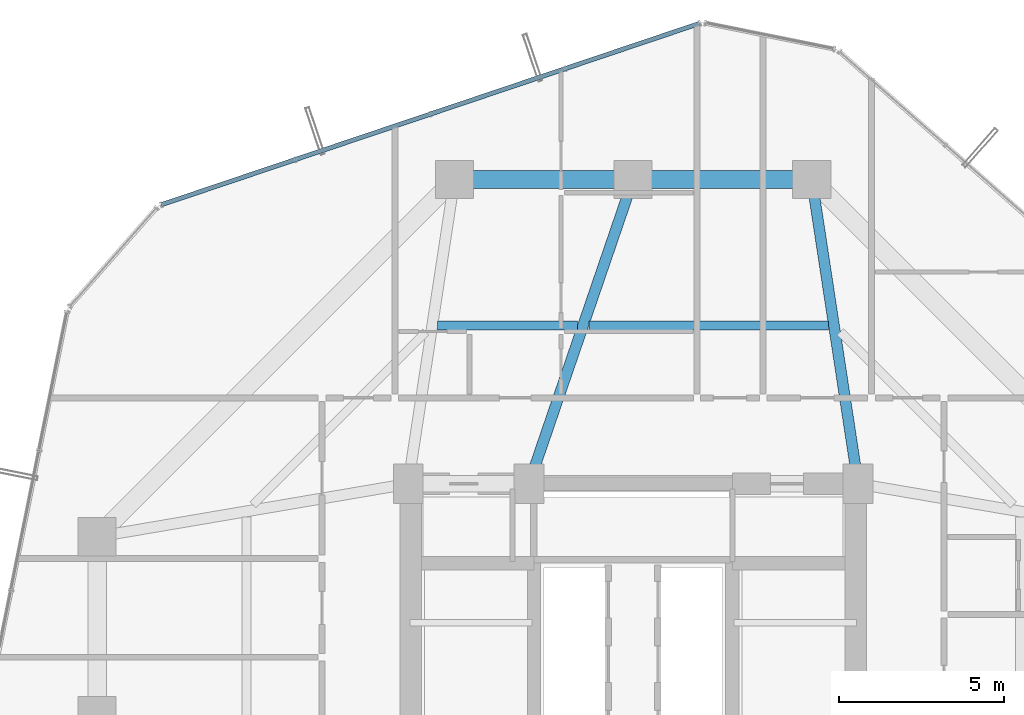
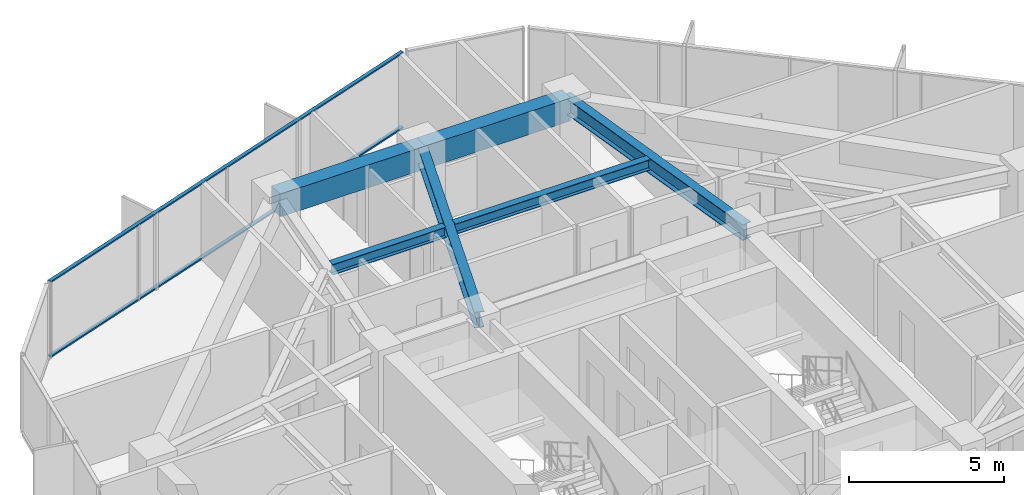
# One storey, part 22 of 32: 6 beams, 2 members, 1 element without a shape of its own.
"""IFC4 building model written with IfcOpenShell, lengths in metres."""

from ifc_helpers import new_model, si_unit, direction, frame, origin, origin_2d, place, context, subcontext, project, spatial, rectangle, hollow_rectangle, i_section, extrude, source, transform, mapped, material, layer, layer_set, material_profile, profile_set, type_object, element, aggregate, save


model = new_model("IFC4")

# Units and contexts
model_context = context("Model", 3, precision=1e-05, world=origin(), true_north=direction((0.0, 1.0)))
body_context = subcontext(model_context, "Body", "Model", "MODEL_VIEW")
ifc_project = project(units=[si_unit("LENGTHUNIT", "METRE"), si_unit("AREAUNIT", "SQUARE_METRE"), si_unit("VOLUMEUNIT", "CUBIC_METRE"), si_unit("PLANEANGLEUNIT", "RADIAN"), si_unit("MASSUNIT", "GRAM", prefix="KILO")], contexts=[model_context])

# Site, building, storey
site_placement = place(None, origin())
site = spatial("IfcSite", under=ifc_project, at=site_placement, CompositionType="ELEMENT")
building_placement = place(site_placement, origin())
building = spatial("IfcBuilding", under=site, at=building_placement, Name="Veraguas Prism Commons", CompositionType="ELEMENT")
storey_placement = place(building_placement, frame((0.0, 0.0, 89.449951171875)))
storey = spatial("IfcBuildingStorey", under=building, at=storey_placement, Name="L24", CompositionType="ELEMENT", Elevation=89.449951171875)

# Beams
ifc_material_1 = material(Name="Steel ASTM A992 Grade 50", Category="steel")
ifc_material_profile_1 = material_profile(ifc_material_1, i_section(OverallWidth=0.260986328125, OverallDepth=0.419921875, WebThickness=0.01171875, FlangeThickness=0.019287109375, at=origin_2d()), Name="W410X114")
ifc_profile_set_1 = profile_set([ifc_material_profile_1], Name="Steel ASTM A992 Grade 50")
beam_type_1 = type_object("IfcBeamType", Name="Lower Floor Joist W410x114", PredefinedType="JOIST", material=ifc_profile_set_1)
beam_1_placement = place(storey_placement, frame((29.908203125, 35.783935546875, 2.7900390625), z_axis=(-1.0, 0.0, 0.0), x_axis=(0.0, -1.0, 0.0)))
element("IfcBeam", 1, at=beam_1_placement, inside=storey, type_object=beam_type_1, Name="Composite Floor Joist L24-JS04", PredefinedType="JOIST", context=body_context, shape_type="SweptSolid", body=[
    extrude(i_section(OverallWidth=0.260986328125, OverallDepth=0.419921875, WebThickness=0.01171875, FlangeThickness=0.019287109375, at=origin_2d()), origin(), (0.0, 0.0, 1.0), 7.2490234375),
])
beam_2_placement = place(storey_placement, frame((22.31689453125, 35.783935546875, 2.7900390625), z_axis=(-1.0, 0.0, 0.0), x_axis=(0.0, -1.0, 0.0)))
element("IfcBeam", 2, at=beam_2_placement, inside=storey, type_object=beam_type_1, Name="Composite Floor Joist L24-JS05", PredefinedType="JOIST", context=body_context, shape_type="SweptSolid", body=[
    extrude(i_section(OverallWidth=0.260986328125, OverallDepth=0.419921875, WebThickness=0.01171875, FlangeThickness=0.019287109375, at=origin_2d()), origin(), (0.0, 0.0, 1.0), 4.22509765625),
])
ifc_material_2 = material(Name="Concrete C50/60", Category="concrete")
ifc_material_profile_2 = material_profile(ifc_material_2, rectangle(XDim=0.550048828125, YDim=0.89990234375, at=origin_2d()), Name="RC550X900")
ifc_profile_set_2 = profile_set([ifc_material_profile_2], Name="Concrete C50/60")
beam_type_2 = type_object("IfcBeamType", Name="Perimeter Spandrel Lower RC 550x900", PredefinedType="SPANDREL", material=ifc_profile_set_2)
for number, where, z_axis, x_axis, name in (
    (3, (29.39990234375, 40.199951171875, 2.550048828125), (-1.0, 0.0, 0.0), (0.0, -1.0, 0.0), "Perimeter Spandrel Beam L24-SP04"),
    (4, (24.0, 40.199951171875, 2.550048828125), (-1.0, 0.0, 0.0), (0.0, -1.0, 0.0), "Perimeter Spandrel Beam L24-SP05"),
):
    element("IfcBeam", number, at=place(storey_placement, frame(where, z_axis=z_axis, x_axis=x_axis)), inside=storey, type_object=beam_type_2, Name=name, PredefinedType="SPANDREL", context=body_context, shape_type="SweptSolid", body=[
        extrude(rectangle(XDim=0.550048828125, YDim=0.89990234375, at=origin_2d()), origin(), (0.0, 0.0, 1.0), 5.39990234375),
    ])
ifc_material_profile_3 = material_profile(ifc_material_1, i_section(OverallWidth=0.327880859375, OverallDepth=0.6220703125, WebThickness=0.015380859375, FlangeThickness=0.0244140625, at=origin_2d()), Name="W610X195")
ifc_profile_set_3 = profile_set([ifc_material_profile_3], Name="Steel ASTM A992 Grade 50")
beam_type_3 = type_object("IfcBeamType", Name="Zone 2 Radial Girder W610x195", PredefinedType="BEAM", material=ifc_profile_set_3)
beam_3_placement = place(storey_placement, frame((29.39990234375, 40.199951171875, 2.68896484375), z_axis=(0.150458162136, -0.98861637729, 0.0), x_axis=(0.98861637729, 0.150458162136, 0.0)))
element("IfcBeam", 5, at=beam_3_placement, inside=storey, type_object=beam_type_3, Name="Radial Floor Girder L24-RD04", PredefinedType="BEAM", context=body_context, shape_type="SweptSolid", body=[
    extrude(i_section(OverallWidth=0.327880859375, OverallDepth=0.6220703125, WebThickness=0.015380859375, FlangeThickness=0.0244140625, at=origin_2d()), origin(), (0.0, 0.0, 1.0), 9.305908203125),
])
beam_4_placement = place(storey_placement, frame((24.0, 40.199951171875, 2.68896484375), z_axis=(-0.323922482989, -0.946083624747, 0.0), x_axis=(0.946083624747, -0.323922482989, 0.0)))
element("IfcBeam", 6, at=beam_4_placement, inside=storey, type_object=beam_type_3, Name="Radial Floor Girder L24-RD05", PredefinedType="BEAM", context=body_context, shape_type="SweptSolid", body=[
    extrude(i_section(OverallWidth=0.327880859375, OverallDepth=0.6220703125, WebThickness=0.015380859375, FlangeThickness=0.0244140625, at=origin_2d()), origin(), (0.0, 0.0, 1.0), 9.724365234375),
])

# Curtain wall, members
ifc_material_3 = material(Name="Anodised aluminium EN AW-6063 T6", Category="aluminium")
ifc_layer = layer(ifc_material_3, 0.169921875, Name="Unitised Flush Curtain Wall Zone 2", Category="aluminium")
ifc_layer_set = layer_set([ifc_layer], Name="Anodised aluminium EN AW-6063 T6")
curtain_wall_type = type_object("IfcCurtainWallType", Name="Unitised Flush Curtain Wall Zone 2", PredefinedType="NOTDEFINED", material=ifc_layer_set)
curtain_wall_placement = place(storey_placement, origin())
curtain_wall = element("IfcCurtainWall", 7, at=curtain_wall_placement, inside=storey, type_object=curtain_wall_type, Name="Tower Facade Curtain Wall L24-F2", PredefinedType="NOTDEFINED")
ifc_material_profile_4 = material_profile(ifc_material_3, hollow_rectangle(XDim=0.054931640625, YDim=0.135009765625, WallThickness=0.0029296875, at=origin_2d()), Name="AL55X135X3")
ifc_profile_set_4 = profile_set([ifc_material_profile_4], Name="Anodised aluminium EN AW-6063 T6")
member_type = type_object("IfcMemberType", Name="Curtain Wall Transom Standard AL 55x135x3", PredefinedType="USERDEFINED", material=ifc_profile_set_4)
shared_shape = source(origin(), body_context, "Body", "SweptSolid", [
    extrude(hollow_rectangle(XDim=0.054931640625, YDim=0.135009765625, WallThickness=0.0029296875, at=origin_2d()), origin(), (0.0, 0.0, 1.0), 17.17431640625),
])
member_1_placement = place(storey_placement, frame((26.012939453125, 44.920166015625, 0.027587890625), z_axis=(-0.947660555831, -0.319279612444, 0.0), x_axis=(0.0, 0.0, 1.0)))
member_1 = element("IfcMember", 8, at=member_1_placement, type_object=member_type, Name="CW-Z2 Transom 1", ObjectType="TRANSOM", PredefinedType="USERDEFINED", context=body_context, shape_type="MappedRepresentation", body=[
    mapped(shared_shape, transform((0.0, 0.0, 0.0), scale=1.0)),
])
member_2_placement = place(storey_placement, frame((26.012939453125, 44.920166015625, 2.97265625), z_axis=(-0.947660555831, -0.319279612444, 0.0), x_axis=(0.0, 0.0, 1.0)))
member_2 = element("IfcMember", 9, at=member_2_placement, type_object=member_type, Name="CW-Z2 Transom 2", ObjectType="TRANSOM", PredefinedType="USERDEFINED", context=body_context, shape_type="MappedRepresentation", body=[
    mapped(shared_shape, transform((0.0, 0.0, 0.0), scale=1.0)),
])
aggregate(curtain_wall, [member_1, member_2])

save(model, "model.ifc")
